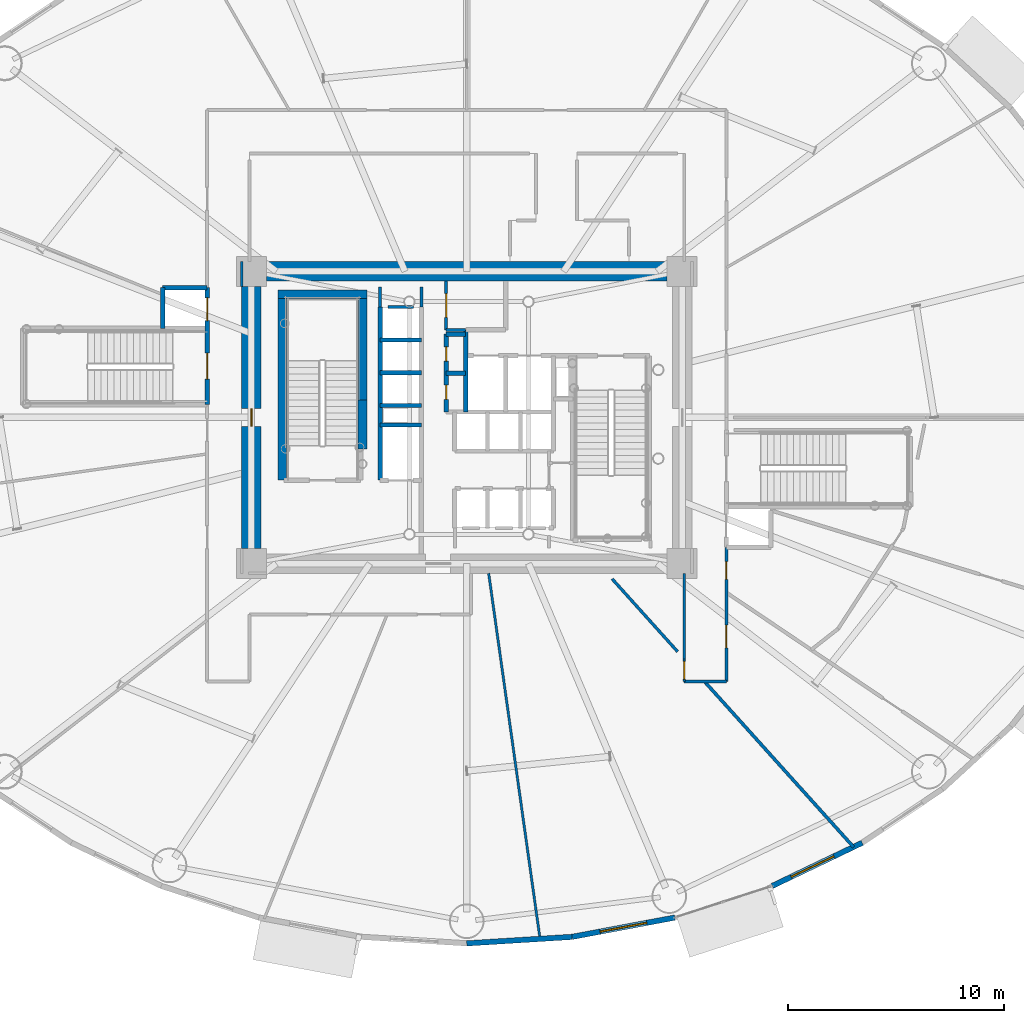
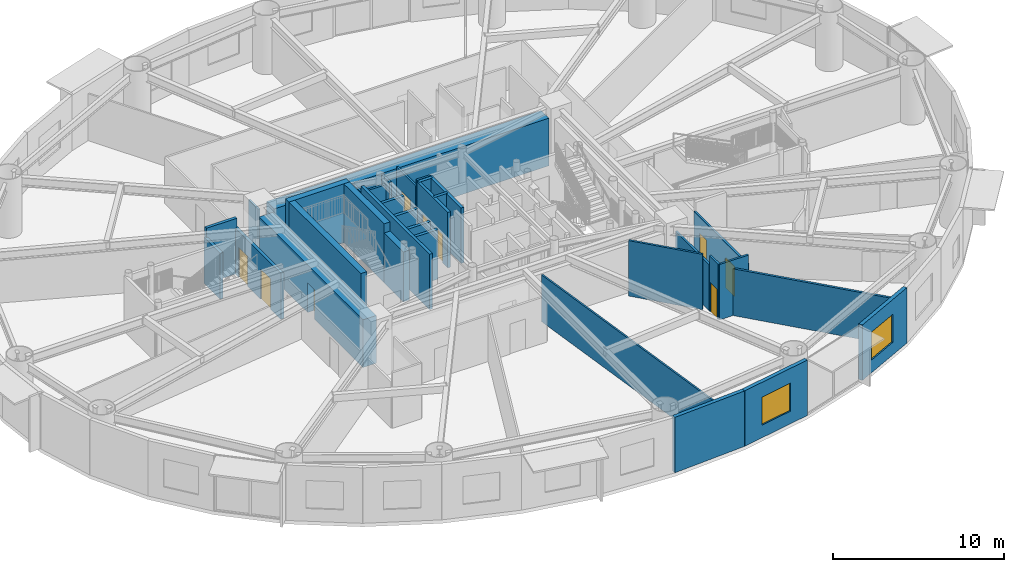
# One storey, part 20 of 35: 34 walls, 9 doors, 2 windows, 11 openings.
"""IFC4 building model written with IfcOpenShell, lengths in metres."""

import ifcopenshell
import ifcopenshell.guid

model = None  # the IFC model being written
_history = None  # IfcOwnerHistory: only IFC2X3 demands one
_inside = {}  # id of a spatial element -> (the spatial element, [elements in it])
_under = {}  # id of a project, library or spatial element -> (it, [spatial elements below it])
_declared = {}  # id of a project -> (the project, [libraries it declares])
_typed = {}  # id of a type object -> (the type object, [elements of that type])
_made_of = {}  # id of a material, layer set ... -> (it, [elements and type objects made of it])


def new_model(schema):
    """Start an empty IFC model of exactly this schema.

    Asked for "IFC4X3", IfcOpenShell would pick the latest addendum, in which some entities
    have other attributes; the version numbers below select the first issue.
    IFC2X3 requires an IfcOwnerHistory on every rooted entity: one is made here for all.
    """
    global model, _history
    if schema == "IFC4X3":
        model = ifcopenshell.file(schema_version=(4, 3, 0, 0))
    else:
        model = ifcopenshell.file(schema=schema)
    _inside.clear()
    _under.clear()
    _declared.clear()
    _typed.clear()
    _made_of.clear()
    _history = None
    if model.schema == "IFC2X3":
        org = make("IfcOrganization", Name="unknown")
        user = make(
            "IfcPersonAndOrganization",
            ThePerson=make("IfcPerson", FamilyName="unknown"),
            TheOrganization=org,
        )
        app = make(
            "IfcApplication",
            ApplicationDeveloper=org,
            Version="unknown",
            ApplicationFullName="unknown",
            ApplicationIdentifier="unknown",
        )
        _history = make(
            "IfcOwnerHistory",
            OwningUser=user,
            OwningApplication=app,
            ChangeAction="ADDED",
            CreationDate=0,
        )
    return model


def make(cls, **values):
    """One entity of the class cls with the attributes given. An attribute that is None is left unset."""
    return model.create_entity(
        cls, **{name: value for name, value in values.items() if value is not None}
    )


def rooted(cls, **values):
    """An entity with a GlobalId (a new one), such as an element, a storey or a relation."""
    return make(cls, GlobalId=ifcopenshell.guid.new(), OwnerHistory=_history, **values)


def si_unit(unit_type, name, prefix=None):
    """IfcSIUnit, for example si_unit("LENGTHUNIT", "METRE", prefix="MILLI")."""
    return make("IfcSIUnit", UnitType=unit_type, Prefix=prefix, Name=name)


def assignment(units):
    """IfcUnitAssignment: the units of a project."""
    return None if units is None else make("IfcUnitAssignment", Units=units)


def point(xyz):
    """IfcCartesianPoint."""
    return None if xyz is None else make("IfcCartesianPoint", Coordinates=xyz)


def direction(xyz):
    """IfcDirection."""
    return None if xyz is None else make("IfcDirection", DirectionRatios=xyz)


def frame(location, z_axis=None, x_axis=None):
    """IfcAxis2Placement3D, a coordinate frame: its origin and axes. An axis left out is left unset."""
    return make(
        "IfcAxis2Placement3D",
        Location=point(location),
        Axis=direction(z_axis),
        RefDirection=direction(x_axis),
    )


def frame_2d(location, x_axis=None):
    """IfcAxis2Placement2D, a coordinate frame in the plane: its origin and x axis."""
    return make(
        "IfcAxis2Placement2D", Location=point(location), RefDirection=direction(x_axis)
    )


def origin():
    """The frame at (0, 0, 0) with its axes left unset."""
    return frame((0.0, 0.0, 0.0))


def origin_2d():
    """The frame at (0, 0) in the plane with its x axis left unset."""
    return frame_2d((0.0, 0.0))


def place(relative_to, where):
    """IfcLocalPlacement: puts the frame where relative to a parent placement (None: the world)."""
    return make(
        "IfcLocalPlacement", PlacementRelTo=relative_to, RelativePlacement=where
    )


def context(
    kind, dimensions, precision=None, world=None, true_north=None, identifier=None
):
    """IfcGeometricRepresentationContext, for example the 3D "Model" context."""
    return make(
        "IfcGeometricRepresentationContext",
        ContextIdentifier=identifier,
        ContextType=kind,
        CoordinateSpaceDimension=dimensions,
        Precision=precision,
        WorldCoordinateSystem=world,
        TrueNorth=true_north,
    )


def subcontext(parent, identifier, kind, view, scale=None):
    """IfcGeometricRepresentationSubContext, for example "Body" below "Model"."""
    return make(
        "IfcGeometricRepresentationSubContext",
        ContextIdentifier=identifier,
        ContextType=kind,
        ParentContext=parent,
        TargetScale=scale,
        TargetView=view,
    )


def project(units=None, contexts=None):
    """IfcProject with its units and contexts."""
    return rooted(
        "IfcProject",
        Name="project",
        RepresentationContexts=contexts,
        UnitsInContext=assignment(units),
    )


def spatial(cls, under=None, at=None, **own):
    """A site, building, storey or space (cls), placed at a placement, below another one or the project."""
    s = rooted(cls, ObjectPlacement=at, **own)
    if under is not None:
        _under.setdefault(under.id(), (under, []))[1].append(s)
    return s


def profile(cls, at=None, kind="AREA", **sizes):
    """A parametric profile (cls). Its sizes go by their IFC names, for example OverallWidth=200.0."""
    return make(cls, ProfileType=kind, Position=at, **sizes)


def rectangle(**sizes):
    """IfcRectangleProfileDef."""
    return profile("IfcRectangleProfileDef", **sizes)


def extrude(swept, where, along, depth):
    """IfcExtrudedAreaSolid: the profile swept, set in the frame where, extruded along a direction by depth."""
    return make(
        "IfcExtrudedAreaSolid",
        SweptArea=swept,
        Position=where,
        ExtrudedDirection=direction(along),
        Depth=depth,
    )


def shape(context_of_items, identifier, shape_type, items):
    """IfcShapeRepresentation: the items that make up one representation, for example the "Body"."""
    return make(
        "IfcShapeRepresentation",
        ContextOfItems=context_of_items,
        RepresentationIdentifier=identifier,
        RepresentationType=shape_type,
        Items=items,
    )


def source(mapping_origin, context_of_items, identifier, shape_type, items):
    """IfcRepresentationMap: a shape defined once, which mapped items show again and again."""
    return make(
        "IfcRepresentationMap",
        MappingOrigin=mapping_origin,
        MappedRepresentation=shape(context_of_items, identifier, shape_type, items),
    )


def transform(
    local_origin,
    x_axis=None,
    y_axis=None,
    z_axis=None,
    scale=None,
    scale2=None,
    scale3=None,
    uniform=True,
):
    """IfcCartesianTransformationOperator3D, or its non-uniform kind. x_axis, y_axis, z_axis: its Axis1, 2, 3."""
    if uniform:
        return make(
            "IfcCartesianTransformationOperator3D",
            Axis1=direction(x_axis),
            Axis2=direction(y_axis),
            LocalOrigin=point(local_origin),
            Scale=scale,
            Axis3=direction(z_axis),
        )
    return make(
        "IfcCartesianTransformationOperator3DnonUniform",
        Axis1=direction(x_axis),
        Axis2=direction(y_axis),
        LocalOrigin=point(local_origin),
        Scale=scale,
        Axis3=direction(z_axis),
        Scale2=scale2,
        Scale3=scale3,
    )


def mapped(mapping_source, mapping_target):
    """IfcMappedItem: shows the shape of a source again, moved by a transform."""
    return make(
        "IfcMappedItem", MappingSource=mapping_source, MappingTarget=mapping_target
    )


def material(Name=None, Category=None):
    """IfcMaterial."""
    return make("IfcMaterial", Name=Name, Category=Category)


def layer(
    of_material, thickness, ventilated=None, Name=None, Category=None, Priority=None
):
    """IfcMaterialLayer: one layer of a wall or slab, of a material (None: an air gap)."""
    return make(
        "IfcMaterialLayer",
        Material=of_material,
        LayerThickness=thickness,
        IsVentilated=ventilated,
        Name=Name,
        Category=Category,
        Priority=Priority,
    )


def layer_set(layers, Name=None):
    """IfcMaterialLayerSet."""
    return make("IfcMaterialLayerSet", MaterialLayers=layers, LayerSetName=Name)


def made_of(thing, what):
    """Note that an element or type object is made of a material, layer set ...; save() writes the relation."""
    if what is not None:
        _made_of.setdefault(what.id(), (what, []))[1].append(thing)
    return thing


def type_object(cls, material=None, **own):
    """A type object (cls), such as IfcWallType, which elements share."""
    return made_of(rooted(cls, **own), material)


def element(
    cls,
    number,
    at=None,
    inside=None,
    cuts=None,
    type_object=None,
    material=None,
    context=None,
    identifier="Body",
    shape_type=None,
    held_by="IfcProductDefinitionShape",
    body=None,
    shapes=None,
    **own,
):
    """One element of the class cls, such as IfcWall. Its Tag is "e" and its number.

    at: its placement. inside: the storey or other place that contains it. cuts: it is an
    opening in that element (IfcRelVoidsElement). A single representation is given by context,
    identifier, shape_type and body (its items); several are given by shapes. held_by: the class
    of the entity that holds the representations. save() writes the other relations.
    """
    e = rooted(cls, Tag="e%d" % number, ObjectPlacement=at, **own)
    if body is not None:
        shapes = [shape(context, identifier, shape_type, body)]
    if shapes is not None:
        e.Representation = make(held_by, Representations=shapes)
    if inside is not None:
        _inside.setdefault(inside.id(), (inside, []))[1].append(e)
    if cuts is not None:
        rooted(
            "IfcRelVoidsElement", RelatingBuildingElement=cuts, RelatedOpeningElement=e
        )
    if type_object is not None:
        _typed.setdefault(type_object.id(), (type_object, []))[1].append(e)
    return made_of(e, material)


def fill(opening, filler):
    """IfcRelFillsElement: the door or window that sits in an opening."""
    return rooted(
        "IfcRelFillsElement",
        RelatingOpeningElement=opening,
        RelatedBuildingElement=filler,
    )


def aggregate(whole, parts):
    """IfcRelAggregates: a whole, such as a stair, and the parts it consists of."""
    return rooted("IfcRelAggregates", RelatingObject=whole, RelatedObjects=parts)


def save(model, path):
    """Write the relations noted so far, then the file.

    IfcRelAggregates (storeys below a building ...), IfcRelContainedInSpatialStructure (elements
    in a storey), IfcRelDefinesByType, IfcRelAssociatesMaterial and IfcRelDeclares: one each for
    every whole, place, type object, material and project.
    """
    for whole, parts in _under.values():
        aggregate(whole, parts)
    for where, things in _inside.values():
        rooted(
            "IfcRelContainedInSpatialStructure",
            RelatedElements=things,
            RelatingStructure=where,
        )
    for kind, things in _typed.values():
        rooted("IfcRelDefinesByType", RelatedObjects=things, RelatingType=kind)
    for what, things in _made_of.values():
        rooted("IfcRelAssociatesMaterial", RelatedObjects=things, RelatingMaterial=what)
    for by, libraries in _declared.values():
        rooted("IfcRelDeclares", RelatingContext=by, RelatedDefinitions=libraries)
    model.write(path)


model = new_model("IFC4")

# Units and contexts
model_context = context("Model", 3, precision=1e-05, world=origin(), true_north=direction((0.0, 1.0)))
body_context = subcontext(model_context, "Body", "Model", "MODEL_VIEW")
ifc_project = project(units=[si_unit("LENGTHUNIT", "METRE"), si_unit("AREAUNIT", "SQUARE_METRE"), si_unit("VOLUMEUNIT", "CUBIC_METRE"), si_unit("PLANEANGLEUNIT", "RADIAN"), si_unit("MASSUNIT", "GRAM", prefix="KILO")], contexts=[model_context])

# Site, building, storey
site_placement = place(None, origin())
site = spatial("IfcSite", under=ifc_project, at=site_placement, CompositionType="ELEMENT")
building_placement = place(site_placement, origin())
building = spatial("IfcBuilding", under=site, at=building_placement, Name="Linh Dai School and Residence Tower", CompositionType="ELEMENT")
storey_placement = place(building_placement, frame((0.0, 0.0, 49.199951171875)))
storey = spatial("IfcBuildingStorey", under=building, at=storey_placement, Name="L11", CompositionType="ELEMENT", Elevation=49.199951171875)

# Wall
ifc_material_1 = material(Name="Precast Concrete B45 (C35/45)", Category="concrete")
ifc_layer_1 = layer(ifc_material_1, 0.25)
ifc_layer_set_1 = layer_set([ifc_layer_1], Name="Precast Concrete B45 (C35/45)")
wall_type_1 = type_object("IfcWallType", Name="EW-TC-250", PredefinedType="SOLIDWALL", material=ifc_layer_set_1)
wall_1_placement = place(storey_placement, frame((40.865478515625, 2.994873046875, 0.0), z_axis=(0.0, 0.0, 1.0), x_axis=(-0.998106954071, -0.061502099433, 0.0)))
element("IfcWall", 1, at=wall_1_placement, inside=storey, type_object=wall_type_1, Name="L11 Terracotta Exterior Wall 31", PredefinedType="SOLIDWALL", context=body_context, shape_type="SweptSolid", body=[
    extrude(rectangle(XDim=4.874755859375, YDim=0.25, at=frame_2d((2.4375, 0.0))), origin(), (0.0, 0.0, 1.0), 3.949951171875),
])

# Wall, opening, window
wall_2_placement = place(storey_placement, frame((45.610595703125, 3.88671875, 0.0), z_axis=(0.0, 0.0, 1.0), x_axis=(-0.982791952378, -0.184715939598, 0.0)))
wall_2 = element("IfcWall", 2, at=wall_2_placement, inside=storey, type_object=wall_type_1, Name="L11 Terracotta Exterior Wall 32", PredefinedType="SOLIDWALL", context=body_context, shape_type="SweptSolid", body=[
    extrude(rectangle(XDim=4.828125, YDim=0.25, at=frame_2d((2.4140625, 0.0))), origin(), (0.0, 0.0, 1.0), 3.949951171875),
])
opening_1_placement = place(wall_2_placement, frame((1.314208984375, 0.0, 0.89990234375)))
opening_1 = element("IfcOpeningElement", 3, at=opening_1_placement, cuts=wall_2, Name="Opening W4", PredefinedType="OPENING", context=body_context, shape_type="SweptSolid", body=[
    extrude(rectangle(XDim=2.199951171875, YDim=2.0, at=origin_2d()), frame((1.10009765625, 0.135009765625, 1.0), z_axis=(0.0, -1.0, 0.0), x_axis=(1.0, 0.0, 0.0)), (0.0, 0.0, 1.0), 0.27001953125),
])
ifc_material_2 = material(Name="Acoustic Laminated Low-E Glazing", Category="glass")
window_type = type_object("IfcWindowType", Name="WN-SCH-2200x2000", PartitioningType="TRIPLE_PANEL_VERTICAL", PredefinedType="WINDOW", material=ifc_material_2)
shared_shape_1 = source(origin(), body_context, "Body", "SweptSolid", [
    extrude(rectangle(XDim=2.199951171875, YDim=2.0, at=origin_2d()), frame((1.10009765625, 0.030029296875, 1.0), z_axis=(0.0, -1.0, 0.0), x_axis=(1.0, 0.0, 0.0)), (0.0, 0.0, 1.0), 0.06005859375),
])
window_1_placement = place(opening_1_placement, origin())
window_1 = element("IfcWindow", 4, at=window_1_placement, inside=storey, type_object=window_type, Name="L11 Exterior Window 32.1", OverallHeight=2.0, OverallWidth=2.199951171875, PartitioningType="TRIPLE_PANEL_VERTICAL", PredefinedType="WINDOW", context=body_context, shape_type="MappedRepresentation", body=[
    mapped(shared_shape_1, transform((0.0, 0.0, 0.0), x_axis=(1.0, 0.0, 0.0), y_axis=(0.0, 1.0, 0.0), z_axis=(0.0, 0.0, 1.0), scale=1.0)),
])
fill(opening_1, window_1)

wall_3_placement = place(storey_placement, frame((54.277099609375, 7.34423828125, 0.0), z_axis=(0.0, 0.0, 1.0), x_axis=(-0.901601503137, -0.432567601123, 0.0)))
wall_3 = element("IfcWall", 5, at=wall_3_placement, inside=storey, type_object=wall_type_1, Name="L11 Terracotta Exterior Wall 34", PredefinedType="SOLIDWALL", context=body_context, shape_type="SweptSolid", body=[
    extrude(rectangle(XDim=4.61279296875, YDim=0.25, at=frame_2d((2.306396484375, 0.0))), origin(), (0.0, 0.0, 1.0), 3.949951171875),
])
opening_2_placement = place(wall_3_placement, frame((1.444580078125, 0.0, 0.89990234375)))
opening_2 = element("IfcOpeningElement", 6, at=opening_2_placement, cuts=wall_3, Name="Opening W4", PredefinedType="OPENING", context=body_context, shape_type="SweptSolid", body=[
    extrude(rectangle(XDim=2.199951171875, YDim=2.0, at=origin_2d()), frame((1.10009765625, 0.135009765625, 1.0), z_axis=(0.0, -1.0, 0.0), x_axis=(1.0, 0.0, 0.0)), (0.0, 0.0, 1.0), 0.27001953125),
])
window_2_placement = place(opening_2_placement, origin())
window_2 = element("IfcWindow", 7, at=window_2_placement, inside=storey, type_object=window_type, Name="L11 Exterior Window 34.1", OverallHeight=2.0, OverallWidth=2.199951171875, PartitioningType="TRIPLE_PANEL_VERTICAL", PredefinedType="WINDOW", context=body_context, shape_type="MappedRepresentation", body=[
    mapped(shared_shape_1, transform((0.0, 0.0, 0.0), x_axis=(1.0, 0.0, 0.0), y_axis=(0.0, 1.0, 0.0), z_axis=(0.0, 0.0, 1.0), scale=1.0)),
])
fill(opening_2, window_2)

# Wall, opening, door
ifc_material_3 = material(Name="Autoclaved Aerated Concrete Blockwork", Category="masonry")
ifc_layer_2 = layer(ifc_material_3, 0.135009765625)
ifc_layer_set_2 = layer_set([ifc_layer_2], Name="Autoclaved Aerated Concrete Blockwork")
wall_type_2 = type_object("IfcWallType", Name="IW-CORR-135-EI90", PredefinedType="PARTITIONING", material=ifc_layer_set_2)
wall_4_placement = place(storey_placement, frame((35.050048828125, 31.050048828125, 0.0), z_axis=(0.0, 0.0, 1.0), x_axis=(0.0, 1.0, 0.0)))
wall_4 = element("IfcWall", 8, at=wall_4_placement, inside=storey, type_object=wall_type_2, Name="L11 Interior Partition Wall 031", PredefinedType="PARTITIONING", context=body_context, shape_type="SweptSolid", body=[
    extrude(rectangle(XDim=2.25, YDim=0.135009765625, at=frame_2d((1.125, 0.0))), origin(), (0.0, 0.0, 1.0), 3.53515625),
])
opening_3_placement = place(wall_4_placement, frame((0.574951171875, 0.0, 0.0)))
opening_3 = element("IfcOpeningElement", 9, at=opening_3_placement, cuts=wall_4, Name="Opening D07", PredefinedType="OPENING", context=body_context, shape_type="SweptSolid", body=[
    extrude(rectangle(XDim=1.10009765625, YDim=2.14990234375, at=origin_2d()), frame((0.550048828125, 0.07763671875, 1.074951171875), z_axis=(0.0, -1.0, 0.0), x_axis=(1.0, 0.0, 0.0)), (0.0, 0.0, 1.0), 0.155029296875),
])
ifc_material_4 = material(Name="Fire-Rated Louvred Steel Plant Door", Category="steel")
door_type_1 = type_object("IfcDoorType", Name="DR-PLT-1100x2150-FD60S", OperationType="NOTDEFINED", PredefinedType="DOOR", material=ifc_material_4)
shared_shape_2 = source(origin(), body_context, "Body", "SweptSolid", [
    extrude(rectangle(XDim=1.10009765625, YDim=2.14990234375, at=origin_2d()), frame((0.550048828125, 0.02490234375, 1.074951171875), z_axis=(0.0, -1.0, 0.0), x_axis=(1.0, 0.0, 0.0)), (0.0, 0.0, 1.0), 0.050048828125),
])
door_1_placement = place(opening_3_placement, origin())
door_1 = element("IfcDoor", 10, at=door_1_placement, inside=storey, type_object=door_type_1, Name="L11 North Telecom Switchroom Door", OperationType="SINGLE_SWING_LEFT", OverallHeight=2.14990234375, OverallWidth=1.10009765625, PredefinedType="DOOR", context=body_context, shape_type="MappedRepresentation", body=[
    mapped(shared_shape_2, transform((0.0, 0.0, 0.0), x_axis=(1.0, 0.0, 0.0), y_axis=(0.0, 1.0, 0.0), z_axis=(0.0, 0.0, 1.0), scale=1.0)),
])
fill(opening_3, door_1)

# Wall
wall_5_placement = place(storey_placement, frame((35.050048828125, 31.050048828125, 0.0), z_axis=(0.0, 0.0, 1.0), x_axis=(1.0, 0.0, 0.0)))
element("IfcWall", 11, at=wall_5_placement, inside=storey, type_object=wall_type_2, Name="L11 Interior Partition Wall 032", PredefinedType="PARTITIONING", context=body_context, shape_type="SweptSolid", body=[
    extrude(rectangle(XDim=0.89990234375, YDim=0.135009765625, at=frame_2d((0.449951171875, 0.0))), origin(), (0.0, 0.0, 1.0), 3.949951171875),
])

# Wall, opening, door
wall_6_placement = place(storey_placement, frame((46.050048828125, 14.800048828125, 0.0), z_axis=(0.0, 0.0, 1.0), x_axis=(0.0, 1.0, 0.0)))
wall_6 = element("IfcWall", 12, at=wall_6_placement, inside=storey, type_object=wall_type_2, Name="L11 Interior Partition Wall 059", PredefinedType="PARTITIONING", context=body_context, shape_type="SweptSolid", body=[
    extrude(rectangle(XDim=1.038330078125, YDim=0.135009765625, at=frame_2d((0.51904296875, 0.0))), origin(), (0.0, 0.0, 1.0), 3.949951171875),
])
opening_4_placement = place(wall_6_placement, frame((0.109130859375, 0.0, 0.0)))
opening_4 = element("IfcOpeningElement", 13, at=opening_4_placement, cuts=wall_6, Name="Opening D06", PredefinedType="OPENING", context=body_context, shape_type="SweptSolid", body=[
    extrude(rectangle(XDim=0.820068359375, YDim=2.10009765625, at=origin_2d()), frame((0.41015625, 0.07763671875, 1.050048828125), z_axis=(0.0, -1.0, 0.0), x_axis=(1.0, 0.0, 0.0)), (0.0, 0.0, 1.0), 0.155029296875),
])
ifc_material_5 = material(Name="Moisture-Resistant Timber Bathroom Door", Category="wood")
door_type_2 = type_object("IfcDoorType", Name="DR-WET-820x2100", OperationType="NOTDEFINED", PredefinedType="DOOR", material=ifc_material_5)
shared_shape_3 = source(origin(), body_context, "Body", "SweptSolid", [
    extrude(rectangle(XDim=0.820068359375, YDim=2.10009765625, at=origin_2d()), frame((0.41015625, 0.02490234375, 1.050048828125), z_axis=(0.0, -1.0, 0.0), x_axis=(1.0, 0.0, 0.0)), (0.0, 0.0, 1.0), 0.050048828125),
])
door_2_placement = place(opening_4_placement, origin())
door_2 = element("IfcDoor", 14, at=door_2_placement, inside=storey, type_object=door_type_2, Name="L11 Design and Architecture Studio Door", OperationType="SINGLE_SWING_LEFT", OverallHeight=2.10009765625, OverallWidth=0.820068359375, PredefinedType="DOOR", context=body_context, shape_type="MappedRepresentation", body=[
    mapped(shared_shape_3, transform((0.0, 0.0, 0.0), x_axis=(1.0, 0.0, 0.0), y_axis=(0.0, 1.0, 0.0), z_axis=(0.0, 0.0, 1.0), scale=1.0)),
])
fill(opening_4, door_2)

# Wall
wall_7_placement = place(storey_placement, frame((46.050048828125, 14.800048828125, 0.0), z_axis=(0.0, 0.0, 1.0), x_axis=(1.0, 0.0, 0.0)))
element("IfcWall", 15, at=wall_7_placement, inside=storey, type_object=wall_type_2, Name="L11 Interior Partition Wall 060", PredefinedType="PARTITIONING", context=body_context, shape_type="SweptSolid", body=[
    extrude(rectangle(XDim=1.949951171875, YDim=0.135009765625, at=frame_2d((0.97509765625, 0.0))), origin(), (0.0, 0.0, 1.0), 3.949951171875),
])

# Wall, openings, doors
wall_8_placement = place(storey_placement, frame((48.0, 14.800048828125, 0.0), z_axis=(0.0, 0.0, 1.0), x_axis=(0.0, 1.0, 0.0)))
wall_8 = element("IfcWall", 16, at=wall_8_placement, inside=storey, type_object=wall_type_2, Name="L11 Interior Partition Wall 062", PredefinedType="PARTITIONING", context=body_context, shape_type="SweptSolid", body=[
    extrude(rectangle(XDim=6.199951171875, YDim=0.135009765625, at=frame_2d((3.10009765625, 0.0))), origin(), (0.0, 0.0, 1.0), 3.28515625),
])
opening_5_placement = place(wall_8_placement, frame((1.5478515625, 0.0, 0.0)))
opening_5 = element("IfcOpeningElement", 17, at=opening_5_placement, cuts=wall_8, Name="Opening D04", PredefinedType="OPENING", context=body_context, shape_type="SweptSolid", body=[
    extrude(rectangle(XDim=1.050048828125, YDim=2.14990234375, at=origin_2d()), frame((0.52490234375, 0.07763671875, 1.074951171875), z_axis=(0.0, -1.0, 0.0), x_axis=(1.0, 0.0, 0.0)), (0.0, 0.0, 1.0), 0.155029296875),
])
opening_6_placement = place(wall_8_placement, frame((4.722900390625, 0.0, 0.0)))
opening_6 = element("IfcOpeningElement", 18, at=opening_6_placement, cuts=wall_8, Name="Opening D06", PredefinedType="OPENING", context=body_context, shape_type="SweptSolid", body=[
    extrude(rectangle(XDim=0.820068359375, YDim=2.10009765625, at=origin_2d()), frame((0.41015625, 0.07763671875, 1.050048828125), z_axis=(0.0, -1.0, 0.0), x_axis=(1.0, 0.0, 0.0)), (0.0, 0.0, 1.0), 0.155029296875),
])
ifc_material_6 = material(Name="Acoustic Vision-Panel Timber Classroom Door", Category="wood")
door_type_3 = type_object("IfcDoorType", Name="DR-SCH-1050x2150-FD60S", OperationType="NOTDEFINED", PredefinedType="DOOR", material=ifc_material_6)
shared_shape_4 = source(origin(), body_context, "Body", "SweptSolid", [
    extrude(rectangle(XDim=1.050048828125, YDim=2.14990234375, at=origin_2d()), frame((0.52490234375, 0.02490234375, 1.074951171875), z_axis=(0.0, -1.0, 0.0), x_axis=(1.0, 0.0, 0.0)), (0.0, 0.0, 1.0), 0.050048828125),
])
door_3_placement = place(opening_5_placement, origin())
door_3 = element("IfcDoor", 19, at=door_3_placement, inside=storey, type_object=door_type_3, Name="L11 Year-Group Pastoral Staff Office Door", OperationType="SINGLE_SWING_RIGHT", OverallHeight=2.14990234375, OverallWidth=1.050048828125, PredefinedType="DOOR", context=body_context, shape_type="MappedRepresentation", body=[
    mapped(shared_shape_4, transform((0.0, 0.0, 0.0), x_axis=(1.0, 0.0, 0.0), y_axis=(0.0, 1.0, 0.0), z_axis=(0.0, 0.0, 1.0), scale=1.0)),
])
fill(opening_5, door_3)
door_4_placement = place(opening_6_placement, origin())
door_4 = element("IfcDoor", 20, at=door_4_placement, inside=storey, type_object=door_type_2, Name="L11 Floor Boys WC Door", OperationType="SINGLE_SWING_LEFT", OverallHeight=2.10009765625, OverallWidth=0.820068359375, PredefinedType="DOOR", context=body_context, shape_type="MappedRepresentation", body=[
    mapped(shared_shape_3, transform((0.0, 0.0, 0.0), x_axis=(1.0, 0.0, 0.0), y_axis=(0.0, 1.0, 0.0), z_axis=(0.0, 0.0, 1.0), scale=1.0)),
])
fill(opening_6, door_4)

# Walls
wall_9_placement = place(storey_placement, frame((32.360107421875, 32.10009765625, 0.0), z_axis=(0.0, 0.0, 1.0), x_axis=(1.0, 0.0, 0.0)))
element("IfcWall", 21, at=wall_9_placement, inside=storey, type_object=wall_type_2, Name="L11 Interior Partition Wall 080", PredefinedType="PARTITIONING", context=body_context, shape_type="SweptSolid", body=[
    extrude(rectangle(XDim=1.179931640625, YDim=0.135009765625, at=frame_2d((0.58984375, 0.0))), origin(), (0.0, 0.0, 1.0), 3.53515625),
])
wall_10_placement = place(storey_placement, frame((32.0, 33.0400390625, 0.0), z_axis=(0.0, 0.0, 1.0), x_axis=(0.0, -1.0, 0.0)))
element("IfcWall", 22, at=wall_10_placement, inside=storey, type_object=wall_type_2, Name="L11 Interior Partition Wall 082", PredefinedType="PARTITIONING", context=body_context, shape_type="SweptSolid", body=[
    extrude(rectangle(XDim=0.929931640625, YDim=0.135009765625, at=frame_2d((0.46484375, 0.0))), origin(), (0.0, 0.0, 1.0), 3.485107421875),
])
wall_11_placement = place(storey_placement, frame((33.89990234375, 32.110107421875, 0.0), z_axis=(0.0, 0.0, 1.0), x_axis=(0.0, 1.0, 0.0)))
element("IfcWall", 23, at=wall_11_placement, inside=storey, type_object=wall_type_2, Name="L11 Interior Partition Wall 085", PredefinedType="PARTITIONING", context=body_context, shape_type="SweptSolid", body=[
    extrude(rectangle(XDim=0.929931640625, YDim=0.135009765625, at=frame_2d((0.46484375, 0.0))), origin(), (0.0, 0.0, 1.0), 3.53515625),
])
wall_12_placement = place(storey_placement, frame((46.050048828125, 15.848388671875, 0.0), z_axis=(0.0, 0.0, 1.0), x_axis=(0.0, 1.0, 0.0)))
element("IfcWall", 24, at=wall_12_placement, inside=storey, type_object=wall_type_2, Name="L11 Interior Partition Wall 089", PredefinedType="PARTITIONING", context=body_context, shape_type="SweptSolid", body=[
    extrude(rectangle(XDim=3.95166015625, YDim=0.135009765625, at=frame_2d((1.975830078125, 0.0))), origin(), (0.0, 0.0, 1.0), 3.28515625),
])
wall_13_placement = place(storey_placement, frame((25.60009765625, 34.199951171875, 0.0), z_axis=(0.0, 0.0, 1.0), x_axis=(0.0, -1.0, 0.0)))
element("IfcWall", 25, at=wall_13_placement, inside=storey, type_object=wall_type_2, Name="L11 Interior Partition Wall 102", PredefinedType="PARTITIONING", context=body_context, shape_type="SweptSolid", body=[
    extrude(rectangle(XDim=1.139892578125, YDim=0.135009765625, at=frame_2d((0.56982421875, 0.0))), origin(), (0.0, 0.0, 1.0), 3.949951171875),
])
wall_14_placement = place(storey_placement, frame((42.717041015625, 19.5400390625, 0.0), z_axis=(0.0, 0.0, 1.0), x_axis=(0.669122827361, -0.743151829645, 0.0)))
element("IfcWall", 26, at=wall_14_placement, inside=storey, type_object=wall_type_2, Name="L11 Interior Partition Wall 106", PredefinedType="PARTITIONING", context=body_context, shape_type="SweptSolid", body=[
    extrude(rectangle(XDim=4.521484375, YDim=0.135009765625, at=frame_2d((2.2607421875, 0.0))), origin(), (0.0, 0.0, 1.0), 3.949951171875),
])
ifc_material_7 = material(Name="Acoustic Operable Timber Panel Partition", Category="wood")
ifc_layer_3 = layer(ifc_material_7, 0.110107421875)
ifc_layer_set_3 = layer_set([ifc_layer_3], Name="Acoustic Operable Timber Panel Partition")
wall_type_3 = type_object("IfcWallType", Name="IW-MOV-110", PredefinedType="MOVABLE", material=ifc_layer_set_3)
wall_15_placement = place(storey_placement, frame((37.011962890625, 19.800048828125, 0.0), z_axis=(0.0, 0.0, 1.0), x_axis=(0.139168038406, -0.990268780224, 0.0)))
element("IfcWall", 27, at=wall_15_placement, inside=storey, type_object=wall_type_3, Name="L11 Interior Partition Wall 044", PredefinedType="MOVABLE", context=body_context, shape_type="SweptSolid", body=[
    extrude(rectangle(XDim=17.0673828125, YDim=0.110107421875, at=frame_2d((8.53369140625, 0.0))), origin(), (0.0, 0.0, 1.0), 3.3349609375),
])
ifc_layer_4 = layer(ifc_material_3, 0.14990234375)
ifc_layer_set_4 = layer_set([ifc_layer_4], Name="Autoclaved Aerated Concrete Blockwork")
wall_type_4 = type_object("IfcWallType", Name="IW-SCH-150-EI60", PredefinedType="PARTITIONING", material=ifc_layer_set_4)
wall_16_placement = place(storey_placement, frame((46.98486328125, 14.800048828125, 0.0), z_axis=(0.0, 0.0, 1.0), x_axis=(0.669133664768, -0.743142071662, 0.0)))
element("IfcWall", 28, at=wall_16_placement, inside=storey, type_object=wall_type_4, Name="L11 Interior Partition Wall 061", PredefinedType="PARTITIONING", context=body_context, shape_type="SweptSolid", body=[
    extrude(rectangle(XDim=10.298828125, YDim=0.14990234375, at=frame_2d((5.1494140625, 0.0))), origin(), (0.0, 0.0, 1.0), 3.3349609375),
])
ifc_material_8 = material(Name="Concrete B45 (C35/45)", Category="concrete")
ifc_layer_5 = layer(ifc_material_8, 0.199951171875)
ifc_layer_set_5 = layer_set([ifc_layer_5], Name="Concrete B45 (C35/45)")
wall_type_5 = type_object("IfcWallType", Name="IW-SHAFT-200-EI120", PredefinedType="PARTITIONING", material=ifc_layer_set_5)
wall_17_placement = place(storey_placement, frame((21.949951171875, 31.1201171875, 0.0), z_axis=(0.0, 0.0, 1.0), x_axis=(0.0, 1.0, 0.0)))
element("IfcWall", 29, at=wall_17_placement, inside=storey, type_object=wall_type_5, Name="L11 Interior Partition Wall 007", PredefinedType="PARTITIONING", context=body_context, shape_type="SweptSolid", body=[
    extrude(rectangle(XDim=1.8798828125, YDim=0.199951171875, at=frame_2d((0.93994140625, 0.0))), origin(), (0.0, 0.0, 1.0), 3.28515625),
])
wall_18_placement = place(storey_placement, frame((21.949951171875, 33.0, 0.0), z_axis=(0.0, 0.0, 1.0), x_axis=(1.0, 0.0, 0.0)))
element("IfcWall", 30, at=wall_18_placement, inside=storey, type_object=wall_type_5, Name="L11 Interior Partition Wall 008", PredefinedType="PARTITIONING", context=body_context, shape_type="SweptSolid", body=[
    extrude(rectangle(XDim=2.050048828125, YDim=0.199951171875, at=frame_2d((1.02490234375, 0.0))), origin(), (0.0, 0.0, 1.0), 3.949951171875),
])

# Wall, openings, doors
wall_19_placement = place(storey_placement, frame((24.0, 27.590087890625, 0.0), z_axis=(0.0, 0.0, 1.0), x_axis=(0.0, 1.0, 0.0)))
wall_19 = element("IfcWall", 31, at=wall_19_placement, inside=storey, type_object=wall_type_5, Name="L11 Interior Partition Wall 012", PredefinedType="PARTITIONING", context=body_context, shape_type="SweptSolid", body=[
    extrude(rectangle(XDim=5.409912109375, YDim=0.199951171875, at=frame_2d((2.705078125, 0.0))), origin(), (0.0, 0.0, 1.0), 3.28515625),
])
opening_7_placement = place(wall_19_placement, frame((1.18505859375, 0.0, 0.0)))
opening_7 = element("IfcOpeningElement", 32, at=opening_7_placement, cuts=wall_19, Name="Opening D01", PredefinedType="OPENING", context=body_context, shape_type="SweptSolid", body=[
    extrude(rectangle(XDim=1.199951171875, YDim=2.14990234375, at=origin_2d()), frame((0.60009765625, 0.10986328125, 1.074951171875), z_axis=(0.0, -1.0, 0.0), x_axis=(1.0, 0.0, 0.0)), (0.0, 0.0, 1.0), 0.219970703125),
])
opening_8_placement = place(wall_19_placement, frame((3.889892578125, 0.0, 0.0)))
opening_8 = element("IfcOpeningElement", 33, at=opening_8_placement, cuts=wall_19, Name="Opening LD-SL1", PredefinedType="OPENING", context=body_context, shape_type="SweptSolid", body=[
    extrude(rectangle(XDim=1.050048828125, YDim=2.14990234375, at=origin_2d()), frame((0.52490234375, 0.10986328125, 1.074951171875), z_axis=(0.0, -1.0, 0.0), x_axis=(1.0, 0.0, 0.0)), (0.0, 0.0, 1.0), 0.219970703125),
])
ifc_material_9 = material(Name="Fire-Rated Steel Door Leaf", Category="steel")
door_type_4 = type_object("IfcDoorType", Name="DR-STAIR-1200x2150-FD90S", OperationType="NOTDEFINED", PredefinedType="DOOR", material=ifc_material_9)
shared_shape_5 = source(origin(), body_context, "Body", "SweptSolid", [
    extrude(rectangle(XDim=1.199951171875, YDim=2.14990234375, at=origin_2d()), frame((0.60009765625, 0.02490234375, 1.074951171875), z_axis=(0.0, -1.0, 0.0), x_axis=(1.0, 0.0, 0.0)), (0.0, 0.0, 1.0), 0.050048828125),
])
door_5_placement = place(opening_7_placement, origin())
door_5 = element("IfcDoor", 34, at=door_5_placement, inside=storey, type_object=door_type_4, Name="L11 Exit Stair STS1 Door", OperationType="SINGLE_SWING_LEFT", OverallHeight=2.14990234375, OverallWidth=1.199951171875, PredefinedType="DOOR", context=body_context, shape_type="MappedRepresentation", body=[
    mapped(shared_shape_5, transform((0.0, 0.0, 0.0), x_axis=(1.0, 0.0, 0.0), y_axis=(0.0, 1.0, 0.0), z_axis=(0.0, 0.0, 1.0), scale=1.0)),
])
fill(opening_7, door_5)
ifc_material_10 = material(Name="Brushed Stainless Steel Lift Landing Door", Category="steel")
door_type_5 = type_object("IfcDoorType", Name="DR-LD-PASS-1050x2150", OperationType="DOUBLE_DOOR_SLIDING", PredefinedType="USERDEFINED", material=ifc_material_10)
shared_shape_6 = source(origin(), body_context, "Body", "SweptSolid", [
    extrude(rectangle(XDim=1.050048828125, YDim=2.14990234375, at=origin_2d()), frame((0.52490234375, 0.02490234375, 1.074951171875), z_axis=(0.0, -1.0, 0.0), x_axis=(1.0, 0.0, 0.0)), (0.0, 0.0, 1.0), 0.050048828125),
])
door_6_placement = place(opening_8_placement, origin())
door_6 = element("IfcDoor", 35, at=door_6_placement, inside=storey, type_object=door_type_5, Name="L11 Lift SL1 Sliding Landing Door", ObjectType="LANDING DOOR", OperationType="DOUBLE_DOOR_SLIDING", OverallHeight=2.14990234375, OverallWidth=1.050048828125, PredefinedType="USERDEFINED", context=body_context, shape_type="MappedRepresentation", body=[
    mapped(shared_shape_6, transform((0.0, 0.0, 0.0), x_axis=(1.0, 0.0, 0.0), y_axis=(0.0, 1.0, 0.0), z_axis=(0.0, 0.0, 1.0), scale=1.0)),
])
fill(opening_8, door_6)

# Walls
wall_20_placement = place(storey_placement, frame((32.0, 24.10009765625, 0.0), z_axis=(0.0, 0.0, 1.0), x_axis=(0.0, 1.0, 0.0)))
element("IfcWall", 36, at=wall_20_placement, inside=storey, type_object=wall_type_5, Name="L11 Interior Partition Wall 020", PredefinedType="PARTITIONING", context=body_context, shape_type="SweptSolid", body=[
    extrude(rectangle(XDim=8.0, YDim=0.199951171875, at=frame_2d((4.0, 0.0))), origin(), (0.0, 0.0, 1.0), 3.949951171875),
])
for number, where, z_axis, x_axis, name in (
    (37, (32.0, 26.64990234375, 0.0), (0.0, 0.0, 1.0), (1.0, 0.0, 0.0), "L11 Interior Partition Wall 022"),
    (38, (32.0, 27.550048828125, 0.0), (0.0, 0.0, 1.0), (1.0, 0.0, 0.0), "L11 Interior Partition Wall 023"),
    (39, (32.0, 29.06005859375, 0.0), (0.0, 0.0, 1.0), (1.0, 0.0, 0.0), "L11 Interior Partition Wall 024"),
    (40, (32.0, 30.580078125, 0.0), (0.0, 0.0, 1.0), (1.0, 0.0, 0.0), "L11 Interior Partition Wall 025"),
):
    element("IfcWall", number, at=place(storey_placement, frame(where, z_axis=z_axis, x_axis=x_axis)), inside=storey, type_object=wall_type_5, Name=name, PredefinedType="PARTITIONING", context=body_context, shape_type="SweptSolid", body=[
        extrude(rectangle(XDim=1.89990234375, YDim=0.199951171875, at=frame_2d((0.949951171875, 0.0))), origin(), (0.0, 0.0, 1.0), 3.53515625),
    ])

# Wall, openings, doors
wall_21_placement = place(storey_placement, frame((35.050048828125, 27.25, 0.0), z_axis=(0.0, 0.0, 1.0), x_axis=(0.0, 1.0, 0.0)))
wall_21 = element("IfcWall", 41, at=wall_21_placement, inside=storey, type_object=wall_type_5, Name="L11 Interior Partition Wall 027", PredefinedType="PARTITIONING", context=body_context, shape_type="SweptSolid", body=[
    extrude(rectangle(XDim=3.60009765625, YDim=0.199951171875, at=frame_2d((1.800048828125, 0.0))), origin(), (0.0, 0.0, 1.0), 3.949951171875),
])
opening_9_placement = place(wall_21_placement, frame((0.590087890625, 0.0, 0.0)))
opening_9 = element("IfcOpeningElement", 42, at=opening_9_placement, cuts=wall_21, Name="Opening AD1", PredefinedType="OPENING", context=body_context, shape_type="SweptSolid", body=[
    extrude(rectangle(XDim=0.659912109375, YDim=2.050048828125, at=origin_2d()), frame((0.330078125, 0.10986328125, 1.02490234375), z_axis=(0.0, -1.0, 0.0), x_axis=(1.0, 0.0, 0.0)), (0.0, 0.0, 1.0), 0.219970703125),
])
opening_10_placement = place(wall_21_placement, frame((2.35009765625, 0.0, 0.0)))
opening_10 = element("IfcOpeningElement", 43, at=opening_10_placement, cuts=wall_21, Name="Opening AD1", PredefinedType="OPENING", context=body_context, shape_type="SweptSolid", body=[
    extrude(rectangle(XDim=0.659912109375, YDim=2.050048828125, at=origin_2d()), frame((0.330078125, 0.10986328125, 1.02490234375), z_axis=(0.0, -1.0, 0.0), x_axis=(1.0, 0.0, 0.0)), (0.0, 0.0, 1.0), 0.219970703125),
])
ifc_material_11 = material(Name="Fire-Rated Steel Riser Access Door", Category="steel")
door_type_6 = type_object("IfcDoorType", Name="DR-ACC-660x2050-FD90S", OperationType="NOTDEFINED", PredefinedType="USERDEFINED", material=ifc_material_11)
shared_shape_7 = source(origin(), body_context, "Body", "SweptSolid", [
    extrude(rectangle(XDim=0.659912109375, YDim=2.050048828125, at=origin_2d()), frame((0.330078125, 0.02490234375, 1.02490234375), z_axis=(0.0, -1.0, 0.0), x_axis=(1.0, 0.0, 0.0)), (0.0, 0.0, 1.0), 0.050048828125),
])
door_7_placement = place(opening_9_placement, origin())
door_7 = element("IfcDoor", 44, at=door_7_placement, inside=storey, type_object=door_type_6, Name="L11 Telecom and Data Riser Access Door", ObjectType="ACCESS DOOR", OperationType="SINGLE_SWING_LEFT", OverallHeight=2.050048828125, OverallWidth=0.659912109375, PredefinedType="USERDEFINED", context=body_context, shape_type="MappedRepresentation", body=[
    mapped(shared_shape_7, transform((0.0, 0.0, 0.0), x_axis=(1.0, 0.0, 0.0), y_axis=(0.0, 1.0, 0.0), z_axis=(0.0, 0.0, 1.0), scale=1.0)),
])
fill(opening_9, door_7)
door_8_placement = place(opening_10_placement, origin())
door_8 = element("IfcDoor", 45, at=door_8_placement, inside=storey, type_object=door_type_6, Name="L11 Mechanical and Plumbing Riser Access Door", ObjectType="ACCESS DOOR", OperationType="SINGLE_SWING_RIGHT", OverallHeight=2.050048828125, OverallWidth=0.659912109375, PredefinedType="USERDEFINED", context=body_context, shape_type="MappedRepresentation", body=[
    mapped(shared_shape_7, transform((0.0, 0.0, 0.0), x_axis=(1.0, 0.0, 0.0), y_axis=(0.0, 1.0, 0.0), z_axis=(0.0, 0.0, 1.0), scale=1.0)),
])
fill(opening_10, door_8)

# Walls
for number, where, z_axis, x_axis, name in (
    (46, (35.050048828125, 29.050048828125, 0.0), (0.0, 0.0, 1.0), (1.0, 0.0, 0.0), "L11 Interior Partition Wall 029"),
    (47, (35.050048828125, 30.85009765625, 0.0), (0.0, 0.0, 1.0), (1.0, 0.0, 0.0), "L11 Interior Partition Wall 030"),
):
    element("IfcWall", number, at=place(storey_placement, frame(where, z_axis=z_axis, x_axis=x_axis)), inside=storey, type_object=wall_type_5, Name=name, PredefinedType="PARTITIONING", context=body_context, shape_type="SweptSolid", body=[
        extrude(rectangle(XDim=0.89990234375, YDim=0.199951171875, at=frame_2d((0.449951171875, 0.0))), origin(), (0.0, 0.0, 1.0), 3.949951171875),
    ])
wall_22_placement = place(storey_placement, frame((35.949951171875, 27.25, 0.0), z_axis=(0.0, 0.0, 1.0), x_axis=(0.0, 1.0, 0.0)))
element("IfcWall", 48, at=wall_22_placement, inside=storey, type_object=wall_type_5, Name="L11 Interior Partition Wall 037", PredefinedType="PARTITIONING", context=body_context, shape_type="SweptSolid", body=[
    extrude(rectangle(XDim=3.800048828125, YDim=0.199951171875, at=frame_2d((1.89990234375, 0.0))), origin(), (0.0, 0.0, 1.0), 3.949951171875),
])
ifc_layer_6 = layer(ifc_material_8, 0.39990234375)
ifc_layer_set_6 = layer_set([ifc_layer_6], Name="Concrete B45 (C35/45)")
wall_type_6 = type_object("IfcWallType", Name="WL-CORE400", PredefinedType="SHEAR", material=ifc_layer_set_6)
wall_23_placement = place(storey_placement, frame((27.47998046875, 24.10009765625, 0.0), z_axis=(0.0, 0.0, 1.0), x_axis=(0.0, 1.0, 0.0)))
element("IfcWall", 49, at=wall_23_placement, inside=storey, type_object=wall_type_6, Name="L11 Core Stair ST1 Bearing Wall W", PredefinedType="SHEAR", context=body_context, shape_type="SweptSolid", body=[
    extrude(rectangle(XDim=8.599853515625, YDim=0.39990234375, at=frame_2d((4.2998046875, 0.0))), origin(), (0.0, 0.0, 1.0), 4.199951171875),
])
wall_24_placement = place(storey_placement, frame((31.179931640625, 27.800048828125, 0.0), z_axis=(0.0, 0.0, 1.0), x_axis=(0.0, 1.0, 0.0)))
element("IfcWall", 50, at=wall_24_placement, inside=storey, type_object=wall_type_6, Name="L11 Core Stair ST1 Bearing Wall E", PredefinedType="SHEAR", context=body_context, shape_type="SweptSolid", body=[
    extrude(rectangle(XDim=4.89990234375, YDim=0.39990234375, at=frame_2d((2.449951171875, 0.0))), origin(), (0.0, 0.0, 1.0), 4.199951171875),
])
wall_25_placement = place(storey_placement, frame((27.280029296875, 32.699951171875, 0.0), z_axis=(0.0, 0.0, 1.0), x_axis=(1.0, 0.0, 0.0)))
element("IfcWall", 51, at=wall_25_placement, inside=storey, type_object=wall_type_6, Name="L11 Core Stair ST1 Bearing Wall N", PredefinedType="SHEAR", context=body_context, shape_type="SweptSolid", body=[
    extrude(rectangle(XDim=4.099853515625, YDim=0.39990234375, at=frame_2d((2.0498046875, 0.0))), origin(), (0.0, 0.0, 1.0), 4.199951171875),
])
wall_26_placement = place(storey_placement, frame((31.179931640625, 25.550048828125, 0.0), z_axis=(0.0, 0.0, 1.0), x_axis=(0.0, 1.0, 0.0)))
element("IfcWall", 52, at=wall_26_placement, inside=storey, type_object=wall_type_6, Name="L11 Internal Core Shear Wall IW", PredefinedType="SHEAR", context=body_context, shape_type="SweptSolid", body=[
    extrude(rectangle(XDim=2.25, YDim=0.39990234375, at=frame_2d((1.125, 0.0))), origin(), (0.0, 0.0, 1.0), 3.550048828125),
])
ifc_material_12 = material(Name="Concrete B60 (C50/60)", Category="concrete")
ifc_layer_7 = layer(ifc_material_12, 0.89990234375)
ifc_layer_set_7 = layer_set([ifc_layer_7], Name="Concrete B60 (C50/60)")
wall_type_7 = type_object("IfcWallType", Name="WL-CORE900", PredefinedType="SHEAR", material=ifc_layer_set_7)
wall_27_placement = place(storey_placement, frame((26.75, 33.75, 0.0), z_axis=(0.0, 0.0, 1.0), x_axis=(1.0, 0.0, 0.0)))
element("IfcWall", 53, at=wall_27_placement, inside=storey, type_object=wall_type_7, Name="L11 Central Core Shear Wall N", PredefinedType="SHEAR", context=body_context, shape_type="SweptSolid", body=[
    extrude(rectangle(XDim=18.5, YDim=0.89990234375, at=frame_2d((9.25, 0.0))), origin(), (0.0, 0.0, 1.0), 3.400146484375),
])

# Wall, opening, door
wall_28_placement = place(storey_placement, frame((26.050048828125, 20.949951171875, 0.0), z_axis=(0.0, 0.0, 1.0), x_axis=(0.0, 1.0, 0.0)))
wall_28 = element("IfcWall", 54, at=wall_28_placement, inside=storey, type_object=wall_type_7, Name="L11 Central Core Shear Wall W", PredefinedType="SHEAR", context=body_context, shape_type="SweptSolid", body=[
    extrude(rectangle(XDim=12.10009765625, YDim=0.89990234375, at=frame_2d((6.050048828125, 0.0))), origin(), (0.0, 0.0, 1.0), 3.400146484375),
])
opening_11_placement = place(wall_28_placement, frame((5.639892578125, 0.0, 0.0)))
opening_11 = element("IfcOpeningElement", 55, at=opening_11_placement, cuts=wall_28, Name="Opening D06", PredefinedType="OPENING", context=body_context, shape_type="SweptSolid", body=[
    extrude(rectangle(XDim=0.820068359375, YDim=2.10009765625, at=origin_2d()), frame((0.41015625, 0.4599609375, 1.050048828125), z_axis=(0.0, -1.0, 0.0), x_axis=(1.0, 0.0, 0.0)), (0.0, 0.0, 1.0), 0.919921875),
])
door_9_placement = place(opening_11_placement, origin())
door_9 = element("IfcDoor", 56, at=door_9_placement, inside=storey, type_object=door_type_2, Name="L11 Firefighting Lobby Door", OperationType="SINGLE_SWING_RIGHT", OverallHeight=2.10009765625, OverallWidth=0.820068359375, PredefinedType="DOOR", context=body_context, shape_type="MappedRepresentation", body=[
    mapped(shared_shape_3, transform((0.0, 0.0, 0.0), x_axis=(1.0, 0.0, 0.0), y_axis=(0.0, 1.0, 0.0), z_axis=(0.0, 0.0, 1.0), scale=1.0)),
])
fill(opening_11, door_9)

save(model, "model.ifc")
